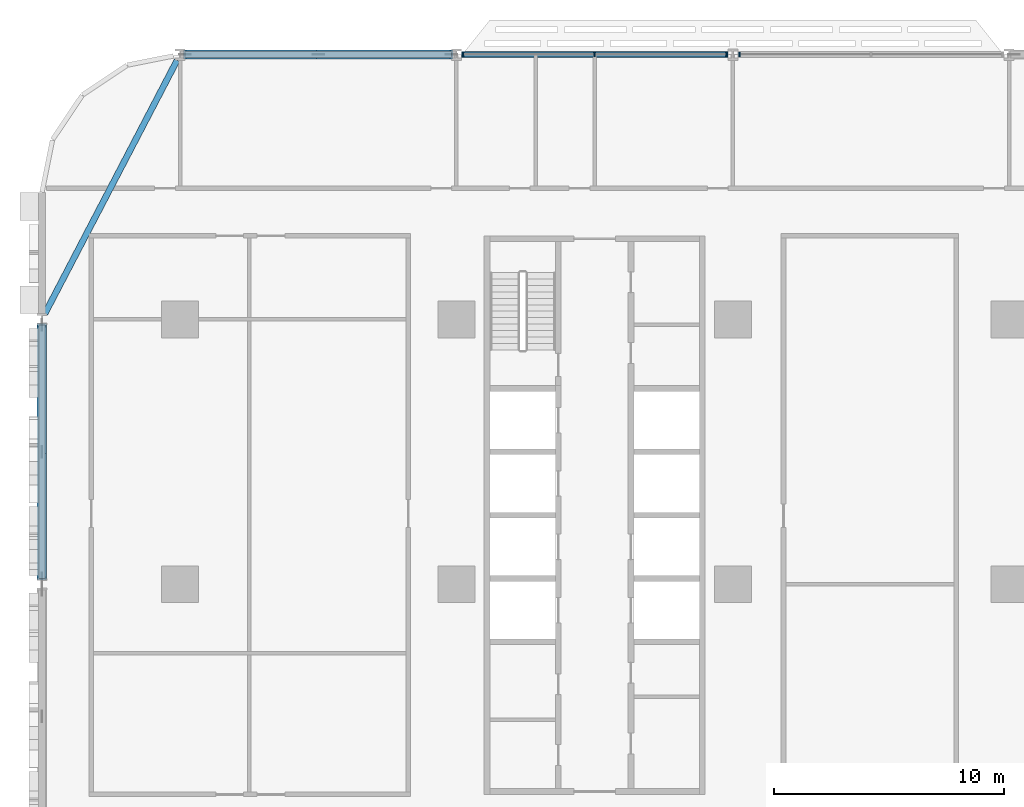
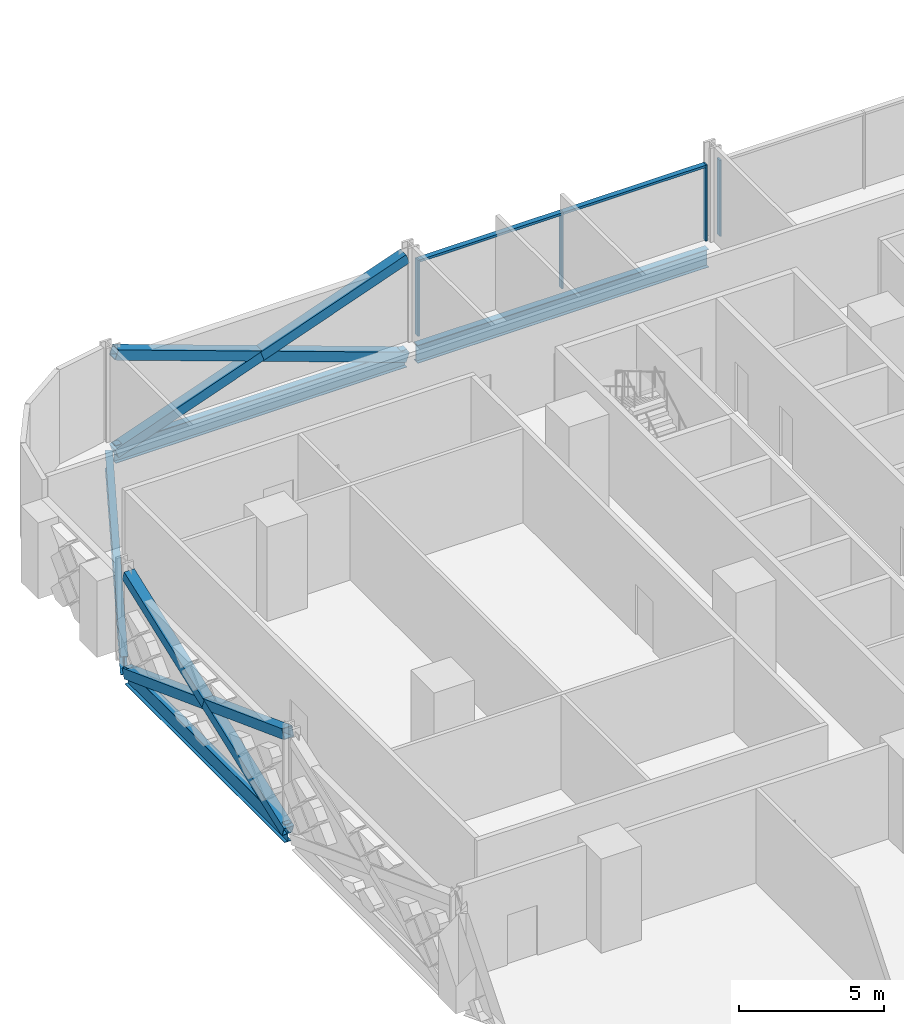
# One storey, part 4 of 26: 12 members, 4 beams, 2 elements without a shape of their own.
"""IFC4 building model written with IfcOpenShell, lengths in metres."""

import ifcopenshell
import ifcopenshell.guid

model = None  # the IFC model being written
_history = None  # IfcOwnerHistory: only IFC2X3 demands one
_inside = {}  # id of a spatial element -> (the spatial element, [elements in it])
_under = {}  # id of a project, library or spatial element -> (it, [spatial elements below it])
_declared = {}  # id of a project -> (the project, [libraries it declares])
_typed = {}  # id of a type object -> (the type object, [elements of that type])
_made_of = {}  # id of a material, layer set ... -> (it, [elements and type objects made of it])


def new_model(schema):
    """Start an empty IFC model of exactly this schema.

    Asked for "IFC4X3", IfcOpenShell would pick the latest addendum, in which some entities
    have other attributes; the version numbers below select the first issue.
    IFC2X3 requires an IfcOwnerHistory on every rooted entity: one is made here for all.
    """
    global model, _history
    if schema == "IFC4X3":
        model = ifcopenshell.file(schema_version=(4, 3, 0, 0))
    else:
        model = ifcopenshell.file(schema=schema)
    _inside.clear()
    _under.clear()
    _declared.clear()
    _typed.clear()
    _made_of.clear()
    _history = None
    if model.schema == "IFC2X3":
        org = make("IfcOrganization", Name="unknown")
        user = make(
            "IfcPersonAndOrganization",
            ThePerson=make("IfcPerson", FamilyName="unknown"),
            TheOrganization=org,
        )
        app = make(
            "IfcApplication",
            ApplicationDeveloper=org,
            Version="unknown",
            ApplicationFullName="unknown",
            ApplicationIdentifier="unknown",
        )
        _history = make(
            "IfcOwnerHistory",
            OwningUser=user,
            OwningApplication=app,
            ChangeAction="ADDED",
            CreationDate=0,
        )
    return model


def make(cls, **values):
    """One entity of the class cls with the attributes given. An attribute that is None is left unset."""
    return model.create_entity(
        cls, **{name: value for name, value in values.items() if value is not None}
    )


def rooted(cls, **values):
    """An entity with a GlobalId (a new one), such as an element, a storey or a relation."""
    return make(cls, GlobalId=ifcopenshell.guid.new(), OwnerHistory=_history, **values)


def si_unit(unit_type, name, prefix=None):
    """IfcSIUnit, for example si_unit("LENGTHUNIT", "METRE", prefix="MILLI")."""
    return make("IfcSIUnit", UnitType=unit_type, Prefix=prefix, Name=name)


def assignment(units):
    """IfcUnitAssignment: the units of a project."""
    return None if units is None else make("IfcUnitAssignment", Units=units)


def point(xyz):
    """IfcCartesianPoint."""
    return None if xyz is None else make("IfcCartesianPoint", Coordinates=xyz)


def direction(xyz):
    """IfcDirection."""
    return None if xyz is None else make("IfcDirection", DirectionRatios=xyz)


def frame(location, z_axis=None, x_axis=None):
    """IfcAxis2Placement3D, a coordinate frame: its origin and axes. An axis left out is left unset."""
    return make(
        "IfcAxis2Placement3D",
        Location=point(location),
        Axis=direction(z_axis),
        RefDirection=direction(x_axis),
    )


def frame_2d(location, x_axis=None):
    """IfcAxis2Placement2D, a coordinate frame in the plane: its origin and x axis."""
    return make(
        "IfcAxis2Placement2D", Location=point(location), RefDirection=direction(x_axis)
    )


def origin():
    """The frame at (0, 0, 0) with its axes left unset."""
    return frame((0.0, 0.0, 0.0))


def origin_2d():
    """The frame at (0, 0) in the plane with its x axis left unset."""
    return frame_2d((0.0, 0.0))


def place(relative_to, where):
    """IfcLocalPlacement: puts the frame where relative to a parent placement (None: the world)."""
    return make(
        "IfcLocalPlacement", PlacementRelTo=relative_to, RelativePlacement=where
    )


def context(
    kind, dimensions, precision=None, world=None, true_north=None, identifier=None
):
    """IfcGeometricRepresentationContext, for example the 3D "Model" context."""
    return make(
        "IfcGeometricRepresentationContext",
        ContextIdentifier=identifier,
        ContextType=kind,
        CoordinateSpaceDimension=dimensions,
        Precision=precision,
        WorldCoordinateSystem=world,
        TrueNorth=true_north,
    )


def subcontext(parent, identifier, kind, view, scale=None):
    """IfcGeometricRepresentationSubContext, for example "Body" below "Model"."""
    return make(
        "IfcGeometricRepresentationSubContext",
        ContextIdentifier=identifier,
        ContextType=kind,
        ParentContext=parent,
        TargetScale=scale,
        TargetView=view,
    )


def project(units=None, contexts=None):
    """IfcProject with its units and contexts."""
    return rooted(
        "IfcProject",
        Name="project",
        RepresentationContexts=contexts,
        UnitsInContext=assignment(units),
    )


def spatial(cls, under=None, at=None, **own):
    """A site, building, storey or space (cls), placed at a placement, below another one or the project."""
    s = rooted(cls, ObjectPlacement=at, **own)
    if under is not None:
        _under.setdefault(under.id(), (under, []))[1].append(s)
    return s


def profile(cls, at=None, kind="AREA", **sizes):
    """A parametric profile (cls). Its sizes go by their IFC names, for example OverallWidth=200.0."""
    return make(cls, ProfileType=kind, Position=at, **sizes)


def rectangle(**sizes):
    """IfcRectangleProfileDef."""
    return profile("IfcRectangleProfileDef", **sizes)


def hollow_rectangle(**sizes):
    """IfcRectangleHollowProfileDef."""
    return profile("IfcRectangleHollowProfileDef", **sizes)


def i_section(**sizes):
    """IfcIShapeProfileDef."""
    return profile("IfcIShapeProfileDef", **sizes)


def extrude(swept, where, along, depth):
    """IfcExtrudedAreaSolid: the profile swept, set in the frame where, extruded along a direction by depth."""
    return make(
        "IfcExtrudedAreaSolid",
        SweptArea=swept,
        Position=where,
        ExtrudedDirection=direction(along),
        Depth=depth,
    )


def shape(context_of_items, identifier, shape_type, items):
    """IfcShapeRepresentation: the items that make up one representation, for example the "Body"."""
    return make(
        "IfcShapeRepresentation",
        ContextOfItems=context_of_items,
        RepresentationIdentifier=identifier,
        RepresentationType=shape_type,
        Items=items,
    )


def material(Name=None, Category=None):
    """IfcMaterial."""
    return make("IfcMaterial", Name=Name, Category=Category)


def material_profile(
    of_material, cross_section, Name=None, Category=None, Priority=None
):
    """IfcMaterialProfile: a cross section and its material."""
    return make(
        "IfcMaterialProfile",
        Name=Name,
        Material=of_material,
        Profile=cross_section,
        Priority=Priority,
        Category=Category,
    )


def profile_set(profiles, Name=None, composite=None):
    """IfcMaterialProfileSet."""
    return make(
        "IfcMaterialProfileSet",
        Name=Name,
        MaterialProfiles=profiles,
        CompositeProfile=composite,
    )


def made_of(thing, what):
    """Note that an element or type object is made of a material, layer set ...; save() writes the relation."""
    if what is not None:
        _made_of.setdefault(what.id(), (what, []))[1].append(thing)
    return thing


def type_object(cls, material=None, **own):
    """A type object (cls), such as IfcWallType, which elements share."""
    return made_of(rooted(cls, **own), material)


def element(
    cls,
    number,
    at=None,
    inside=None,
    cuts=None,
    type_object=None,
    material=None,
    context=None,
    identifier="Body",
    shape_type=None,
    held_by="IfcProductDefinitionShape",
    body=None,
    shapes=None,
    **own,
):
    """One element of the class cls, such as IfcWall. Its Tag is "e" and its number.

    at: its placement. inside: the storey or other place that contains it. cuts: it is an
    opening in that element (IfcRelVoidsElement). A single representation is given by context,
    identifier, shape_type and body (its items); several are given by shapes. held_by: the class
    of the entity that holds the representations. save() writes the other relations.
    """
    e = rooted(cls, Tag="e%d" % number, ObjectPlacement=at, **own)
    if body is not None:
        shapes = [shape(context, identifier, shape_type, body)]
    if shapes is not None:
        e.Representation = make(held_by, Representations=shapes)
    if inside is not None:
        _inside.setdefault(inside.id(), (inside, []))[1].append(e)
    if cuts is not None:
        rooted(
            "IfcRelVoidsElement", RelatingBuildingElement=cuts, RelatedOpeningElement=e
        )
    if type_object is not None:
        _typed.setdefault(type_object.id(), (type_object, []))[1].append(e)
    return made_of(e, material)


def aggregate(whole, parts):
    """IfcRelAggregates: a whole, such as a stair, and the parts it consists of."""
    return rooted("IfcRelAggregates", RelatingObject=whole, RelatedObjects=parts)


def save(model, path):
    """Write the relations noted so far, then the file.

    IfcRelAggregates (storeys below a building ...), IfcRelContainedInSpatialStructure (elements
    in a storey), IfcRelDefinesByType, IfcRelAssociatesMaterial and IfcRelDeclares: one each for
    every whole, place, type object, material and project.
    """
    for whole, parts in _under.values():
        aggregate(whole, parts)
    for where, things in _inside.values():
        rooted(
            "IfcRelContainedInSpatialStructure",
            RelatedElements=things,
            RelatingStructure=where,
        )
    for kind, things in _typed.values():
        rooted("IfcRelDefinesByType", RelatedObjects=things, RelatingType=kind)
    for what, things in _made_of.values():
        rooted("IfcRelAssociatesMaterial", RelatedObjects=things, RelatingMaterial=what)
    for by, libraries in _declared.values():
        rooted("IfcRelDeclares", RelatingContext=by, RelatedDefinitions=libraries)
    model.write(path)


model = new_model("IFC4")

# Units and contexts
model_context = context("Model", 3, precision=1e-05, world=origin(), true_north=direction((0.0, 1.0)))
body_context = subcontext(model_context, "Body", "Model", "MODEL_VIEW")
ifc_project = project(units=[si_unit("LENGTHUNIT", "METRE"), si_unit("AREAUNIT", "SQUARE_METRE"), si_unit("VOLUMEUNIT", "CUBIC_METRE"), si_unit("PLANEANGLEUNIT", "RADIAN"), si_unit("MASSUNIT", "GRAM", prefix="KILO")], contexts=[model_context])

# Site, building, storey
site_placement = place(None, origin())
site = spatial("IfcSite", under=ifc_project, at=site_placement, CompositionType="ELEMENT")
building_placement = place(site_placement, origin())
building = spatial("IfcBuilding", under=site, at=building_placement, Name="Mahtab Terrace Research Tower", CompositionType="ELEMENT")
storey_placement = place(building_placement, frame((0.0, 0.0, 15.800048828125)))
storey = spatial("IfcBuildingStorey", under=building, at=storey_placement, Name="L03", CompositionType="ELEMENT", Elevation=15.800048828125)

# Members
ifc_material_1 = material(Name="Steel ASTM A500 Gr C", Category="steel")
ifc_material_profile_1 = material_profile(ifc_material_1, hollow_rectangle(XDim=0.406494140625, YDim=0.406494140625, WallThickness=0.01904296875, at=origin_2d()), Name="HSS16X16X3/4")
ifc_profile_set_1 = profile_set([ifc_material_profile_1], Name="Steel ASTM A500 Gr C")
member_type_1 = type_object("IfcMemberType", Name="HSS 16x16x3/4 brace XB161634", PredefinedType="BRACE", material=ifc_profile_set_1)
member_1_placement = place(storey_placement, frame((-30.2158203125, 23.0, -0.64111328125), z_axis=(-0.941388097231, 0.0, 0.337325436917), x_axis=(0.0, -1.0, 0.0)))
element("IfcMember", 1, at=member_1_placement, inside=storey, type_object=member_type_1, Name="Exoskeleton brace L03 07 a", PredefinedType="BRACE", context=body_context, shape_type="SweptSolid", body=[
    extrude(hollow_rectangle(XDim=0.406494140625, YDim=0.406494140625, WallThickness=0.01904296875, at=origin_2d()), origin(), (0.0, 0.0, 1.0), 12.28857421875),
])
for number, where, z_axis, x_axis, name in (
    (2, (-41.7841796875, 23.0, -0.64111328125), (0.941394406025, 0.0, 0.337307830185), (0.0, 1.0, 0.0), "Exoskeleton brace L03 07 b1"),
    (3, (-36.0, 23.0, 1.431396484375), (0.941381788192, 0.0, 0.337343043295), (0.0, 1.0, 0.0), "Exoskeleton brace L03 07 b2"),
):
    element("IfcMember", number, at=place(storey_placement, frame(where, z_axis=z_axis, x_axis=x_axis)), inside=storey, type_object=member_type_1, Name=name, PredefinedType="BRACE", context=body_context, shape_type="SweptSolid", body=[
        extrude(hollow_rectangle(XDim=0.406494140625, YDim=0.406494140625, WallThickness=0.01904296875, at=origin_2d()), origin(), (0.0, 0.0, 1.0), 6.144287109375),
    ])
member_2_placement = place(storey_placement, frame((-48.0, 11.251220703125, -0.62548828125), z_axis=(0.0, -0.936661873217, 0.350234971499), x_axis=(1.0, 0.0, 0.0)))
element("IfcMember", 4, at=member_2_placement, inside=storey, type_object=member_type_1, Name="Exoskeleton brace L03 09 a", PredefinedType="BRACE", context=body_context, shape_type="SweptSolid", body=[
    extrude(hollow_rectangle(XDim=0.406494140625, YDim=0.406494140625, WallThickness=0.01904296875, at=origin_2d()), origin(), (0.0, 0.0, 1.0), 11.746337890625),
])
for number, where, z_axis, x_axis, name in (
    (5, (-48.0, 0.248779296875, -0.62548828125), (0.0, 0.936668691391, 0.350216736563), (-1.0, 0.0, 0.0), "Exoskeleton brace L03 09 b1"),
    (6, (-48.0, 5.75, 1.431396484375), (0.0, 0.936655054788, 0.350253206038), (-1.0, 0.0, 0.0), "Exoskeleton brace L03 09 b2"),
):
    element("IfcMember", number, at=place(storey_placement, frame(where, z_axis=z_axis, x_axis=x_axis)), inside=storey, type_object=member_type_1, Name=name, PredefinedType="BRACE", context=body_context, shape_type="SweptSolid", body=[
        extrude(hollow_rectangle(XDim=0.406494140625, YDim=0.406494140625, WallThickness=0.01904296875, at=origin_2d()), origin(), (0.0, 0.0, 1.0), 5.873291015625),
    ])

# Curtain wall, member
ifc_material_2 = material(Name="Laboratory ribbon curtain wall")
curtain_wall_type = type_object("IfcCurtainWallType", Name="Laboratory ribbon curtain wall", PredefinedType="NOTDEFINED", material=ifc_material_2)
curtain_wall_1_placement = place(storey_placement, origin())
curtain_wall_1 = element("IfcCurtainWall", 7, at=curtain_wall_1_placement, inside=storey, type_object=curtain_wall_type, Name="EN.L03.3.7", PredefinedType="NOTDEFINED")
ifc_material_3 = material(Name="Natural anodised aluminium", Category="aluminium")
ifc_material_profile_2 = material_profile(ifc_material_3, rectangle(XDim=0.199951171875, YDim=0.06494140625, at=origin_2d()), Name="MULLION 65x200")
ifc_profile_set_2 = profile_set([ifc_material_profile_2], Name="Natural anodised aluminium")
member_type_2 = type_object("IfcMemberType", Name="Laboratory ribbon curtain wall mullion", PredefinedType="MULLION", material=ifc_profile_set_2)
member_3_placement = place(storey_placement, frame((-17.718505859375, 23.0, 0.0), z_axis=(0.0, 0.0, 1.0), x_axis=(0.0, -1.0, 0.0)))
member_3 = element("IfcMember", 8, at=member_3_placement, type_object=member_type_2, Name="CWL-1 mullion 3", PredefinedType="MULLION", context=body_context, shape_type="SweptSolid", body=[
    extrude(rectangle(XDim=0.199951171875, YDim=0.06494140625, at=origin_2d()), origin(), (0.0, 0.0, 1.0), 3.203125),
])
aggregate(curtain_wall_1, [member_3])

# Curtain wall, members
curtain_wall_2_placement = place(storey_placement, origin())
curtain_wall_2 = element("IfcCurtainWall", 9, at=curtain_wall_2_placement, inside=storey, type_object=curtain_wall_type, Name="EN.L03.3.8", PredefinedType="NOTDEFINED")
member_4_placement = place(storey_placement, frame((-18.281494140625, 23.0, 0.0), z_axis=(0.0, 0.0, 1.0), x_axis=(0.0, -1.0, 0.0)))
member_4 = element("IfcMember", 10, at=member_4_placement, type_object=member_type_2, Name="CWL-1 mullion 1", PredefinedType="MULLION", context=body_context, shape_type="SweptSolid", body=[
    extrude(rectangle(XDim=0.199951171875, YDim=0.06494140625, at=origin_2d()), origin(), (0.0, 0.0, 1.0), 3.203125),
])
member_5_placement = place(storey_placement, frame((-24.0, 23.0, 0.0), z_axis=(0.0, 0.0, 1.0), x_axis=(0.0, -1.0, 0.0)))
member_5 = element("IfcMember", 11, at=member_5_placement, type_object=member_type_2, Name="CWL-1 mullion 2", PredefinedType="MULLION", context=body_context, shape_type="SweptSolid", body=[
    extrude(rectangle(XDim=0.199951171875, YDim=0.06494140625, at=origin_2d()), origin(), (0.0, 0.0, 1.0), 3.203125),
])
member_6_placement = place(storey_placement, frame((-29.718505859375, 23.0, 0.0), z_axis=(0.0, 0.0, 1.0), x_axis=(0.0, -1.0, 0.0)))
member_6 = element("IfcMember", 12, at=member_6_placement, type_object=member_type_2, Name="CWL-1 mullion 3", PredefinedType="MULLION", context=body_context, shape_type="SweptSolid", body=[
    extrude(rectangle(XDim=0.199951171875, YDim=0.06494140625, at=origin_2d()), origin(), (0.0, 0.0, 1.0), 3.203125),
])
ifc_material_profile_3 = material_profile(ifc_material_3, rectangle(XDim=0.199951171875, YDim=0.10009765625, at=origin_2d()), Name="TRANSOM 100x200")
ifc_profile_set_3 = profile_set([ifc_material_profile_3], Name="Natural anodised aluminium")
member_type_3 = type_object("IfcMemberType", Name="Laboratory ribbon curtain wall transom", PredefinedType="USERDEFINED", material=ifc_profile_set_3)
member_7_placement = place(storey_placement, frame((-18.31396484375, 23.0, 3.153076171875), z_axis=(-1.0, 0.0, 0.0), x_axis=(0.0, -1.0, 0.0)))
member_7 = element("IfcMember", 13, at=member_7_placement, type_object=member_type_3, Name="CWL-1 transom 1", ObjectType="TRANSOM", PredefinedType="USERDEFINED", context=body_context, shape_type="SweptSolid", body=[
    extrude(rectangle(XDim=0.199951171875, YDim=0.10009765625, at=origin_2d()), origin(), (0.0, 0.0, 1.0), 5.653564453125),
])
member_8_placement = place(storey_placement, frame((-24.032470703125, 23.0, 3.153076171875), z_axis=(-1.0, 0.0, 0.0), x_axis=(0.0, -1.0, 0.0)))
member_8 = element("IfcMember", 14, at=member_8_placement, type_object=member_type_3, Name="CWL-1 transom 2", ObjectType="TRANSOM", PredefinedType="USERDEFINED", context=body_context, shape_type="SweptSolid", body=[
    extrude(rectangle(XDim=0.199951171875, YDim=0.10009765625, at=origin_2d()), origin(), (0.0, 0.0, 1.0), 5.653564453125),
])
aggregate(curtain_wall_2, [member_4, member_5, member_6, member_7, member_8])

# Beams
ifc_material_4 = material(Name="Steel ASTM A992 Gr 50", Category="steel")
ifc_material_profile_4 = material_profile(ifc_material_4, i_section(OverallWidth=0.2666015625, OverallDepth=0.7568359375, WebThickness=0.013916015625, FlangeThickness=0.019287109375, at=origin_2d()), Name="W30X108")
ifc_profile_set_4 = profile_set([ifc_material_profile_4], Name="Steel ASTM A992 Gr 50")
beam_type = type_object("IfcBeamType", Name="W30x108 beam BS30108", PredefinedType="BEAM", material=ifc_profile_set_4)
for number, where, z_axis, x_axis, name in (
    (15, (-18.2158203125, 23.0, -0.718505859375), (-1.0, 0.0, 0.0), (0.0, -1.0, 0.0), "Spandrel beam L03 06"),
    (16, (-30.2158203125, 23.0, -0.718505859375), (-1.0, 0.0, 0.0), (0.0, -1.0, 0.0), "Spandrel beam L03 07"),
):
    element("IfcBeam", number, at=place(storey_placement, frame(where, z_axis=z_axis, x_axis=x_axis)), inside=storey, type_object=beam_type, Name=name, PredefinedType="BEAM", context=body_context, shape_type="SweptSolid", body=[
        extrude(i_section(OverallWidth=0.2666015625, OverallDepth=0.7568359375, WebThickness=0.013916015625, FlangeThickness=0.019287109375, at=origin_2d()), origin(), (0.0, 0.0, 1.0), 11.568359375),
    ])
beam_1_placement = place(storey_placement, frame((-42.1298828125, 22.751220703125, -0.718505859375), z_axis=(-0.462555249274, -0.88659045865, 0.0), x_axis=(0.88659045865, -0.462555249274, 0.0)))
element("IfcBeam", 17, at=beam_1_placement, inside=storey, type_object=beam_type, Name="Spandrel beam L03 08", PredefinedType="BEAM", context=body_context, shape_type="SweptSolid", body=[
    extrude(i_section(OverallWidth=0.2666015625, OverallDepth=0.7568359375, WebThickness=0.013916015625, FlangeThickness=0.019287109375, at=origin_2d()), origin(), (0.0, 0.0, 1.0), 12.409912109375),
])
beam_2_placement = place(storey_placement, frame((-48.0, 11.251220703125, -0.718505859375), z_axis=(0.0, -1.0, 0.0), x_axis=(1.0, 0.0, 0.0)))
element("IfcBeam", 18, at=beam_2_placement, inside=storey, type_object=beam_type, Name="Spandrel beam L03 09", PredefinedType="BEAM", context=body_context, shape_type="SweptSolid", body=[
    extrude(i_section(OverallWidth=0.2666015625, OverallDepth=0.7568359375, WebThickness=0.013916015625, FlangeThickness=0.019287109375, at=origin_2d()), origin(), (0.0, 0.0, 1.0), 11.00244140625),
])

save(model, "model.ifc")
